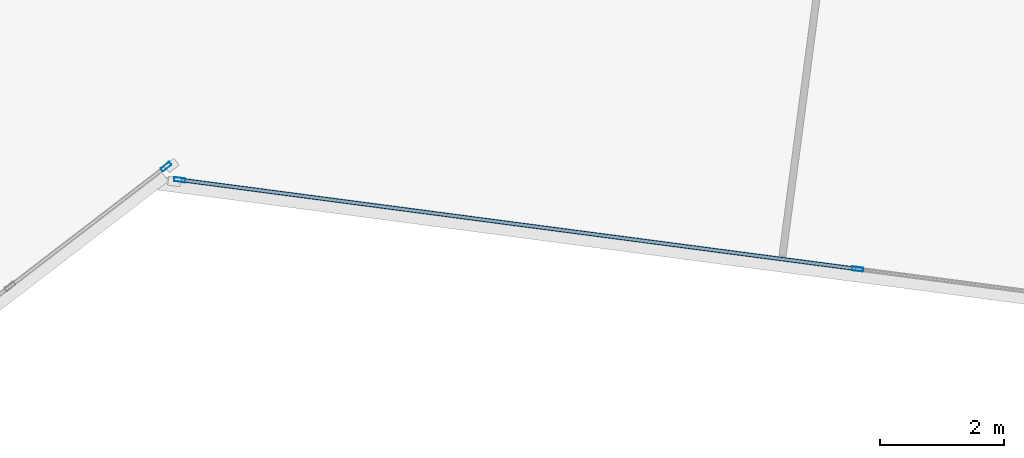
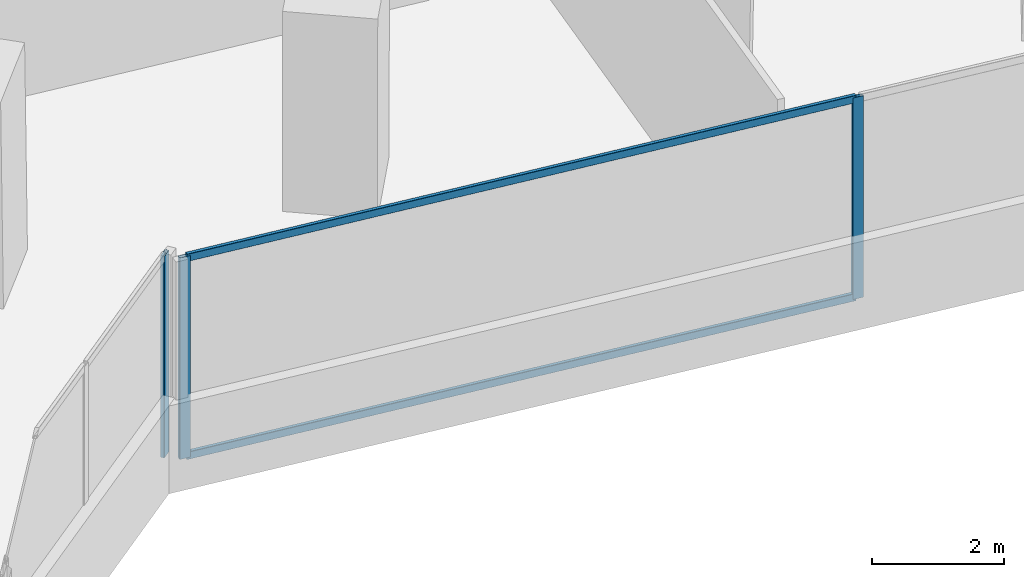
# One storey, part 9 of 24: 5 members, 2 elements without a shape of their own.
"""IFC4 building model written with IfcOpenShell, lengths in metres."""

from ifc_helpers import new_model, si_unit, direction, frame, origin, origin_2d, place, context, subcontext, project, spatial, hollow_rectangle, extrude, source, transform, mapped, material, material_profile, profile_set, type_object, element, aggregate, save


model = new_model("IFC4")

# Units and contexts
model_context = context("Model", 3, precision=1e-05, world=origin(), true_north=direction((0.0, 1.0)))
body_context = subcontext(model_context, "Body", "Model", "MODEL_VIEW")
ifc_project = project(units=[si_unit("LENGTHUNIT", "METRE"), si_unit("AREAUNIT", "SQUARE_METRE"), si_unit("VOLUMEUNIT", "CUBIC_METRE"), si_unit("PLANEANGLEUNIT", "RADIAN"), si_unit("MASSUNIT", "GRAM", prefix="KILO")], contexts=[model_context])

# Site, building, storey
site_placement = place(None, origin())
site = spatial("IfcSite", under=ifc_project, at=site_placement, CompositionType="ELEMENT")
building_placement = place(site_placement, origin())
building = spatial("IfcBuilding", under=site, at=building_placement, Name="Torre Montelarca", CompositionType="ELEMENT")
storey_placement = place(building_placement, frame((0.0, 0.0, 66.39990234375)))
storey = spatial("IfcBuildingStorey", under=building, at=storey_placement, Name="L14", CompositionType="ELEMENT", Elevation=66.39990234375)

# Curtain wall, members
ifc_material_1 = material(Name="Insulated low-E laminated glass", Category="glass")
curtain_wall_type = type_object("IfcCurtainWallType", Name="CW-SYS-Z1", PredefinedType="USERDEFINED", material=ifc_material_1)
curtain_wall_1_placement = place(storey_placement, origin())
curtain_wall_1 = element("IfcCurtainWall", 1, at=curtain_wall_1_placement, inside=storey, type_object=curtain_wall_type, Name="L14 Curtain Wall Run CW-T3-L14-E04-B1", ObjectType="UNITISED GLAZING", PredefinedType="USERDEFINED")
ifc_material_2 = material(Name="Anodised aluminium AA 6063-T6", Category="aluminium")
ifc_material_profile_1 = material_profile(ifc_material_2, hollow_rectangle(XDim=0.06494140625, YDim=0.139892578125, WallThickness=0.00390625, InnerFilletRadius=0.00390625, OuterFilletRadius=0.008056640625, at=origin_2d()), Name="ALU65X140X4", Category="aluminium")
ifc_profile_set_1 = profile_set([ifc_material_profile_1], Name="Anodised aluminium AA 6063-T6")
member_type_1 = type_object("IfcMemberType", Name="CWT-ALU140", PredefinedType="USERDEFINED", material=ifc_profile_set_1)
shared_shape_1 = source(origin(), body_context, "Body", "SweptSolid", [
    extrude(hollow_rectangle(XDim=0.06494140625, YDim=0.139892578125, WallThickness=0.00390625, InnerFilletRadius=0.00390625, OuterFilletRadius=0.008056640625, at=origin_2d()), origin(), (0.0, 0.0, 1.0), 10.94873046875),
])
member_1_placement = place(storey_placement, frame((35.288330078125, 16.396728515625, 0.03271484375), z_axis=(0.99144640037, -0.130514501852, 0.0), x_axis=(0.130514501852, 0.99144640037, 0.0)))
member_1 = element("IfcMember", 2, at=member_1_placement, type_object=member_type_1, Name="CW transom 1.1", ObjectType="TRANSOM", PredefinedType="USERDEFINED", context=body_context, shape_type="MappedRepresentation", body=[
    mapped(shared_shape_1, transform((0.0, 0.0, 0.0), scale=1.0)),
])
member_2_placement = place(storey_placement, frame((35.288330078125, 16.396728515625, 3.6875), z_axis=(0.99144640037, -0.130514501852, 0.0), x_axis=(0.130514501852, 0.99144640037, 0.0)))
member_2 = element("IfcMember", 3, at=member_2_placement, type_object=member_type_1, Name="CW transom 1.2", ObjectType="TRANSOM", PredefinedType="USERDEFINED", context=body_context, shape_type="MappedRepresentation", body=[
    mapped(shared_shape_1, transform((0.0, 0.0, 0.0), scale=1.0)),
])

# Curtain wall, member
curtain_wall_2_placement = place(storey_placement, origin())
curtain_wall_2 = element("IfcCurtainWall", 4, at=curtain_wall_2_placement, inside=storey, type_object=curtain_wall_type, Name="L14 Curtain Wall Run CW-T3-L14-E02-B1", ObjectType="UNITISED GLAZING", PredefinedType="USERDEFINED")
ifc_material_profile_2 = material_profile(ifc_material_2, hollow_rectangle(XDim=0.06494140625, YDim=0.179931640625, WallThickness=0.00390625, InnerFilletRadius=0.00390625, OuterFilletRadius=0.008056640625, at=origin_2d()), Name="ALU65X180X4", Category="aluminium")
ifc_profile_set_2 = profile_set([ifc_material_profile_2], Name="Anodised aluminium AA 6063-T6")
member_type_2 = type_object("IfcMemberType", Name="CWM-ALU180", PredefinedType="MULLION", material=ifc_profile_set_2)
shared_shape_2 = source(origin(), body_context, "Body", "SweptSolid", [
    extrude(hollow_rectangle(XDim=0.06494140625, YDim=0.179931640625, WallThickness=0.00390625, InnerFilletRadius=0.00390625, OuterFilletRadius=0.008056640625, at=origin_2d()), origin(), (0.0, 0.0, 1.0), 3.72021484375),
])
member_3_placement = place(storey_placement, frame((35.03515625, 16.61328125, 0.0), z_axis=(0.0, 0.0, 1.0), x_axis=(-0.608756578814, 0.793357061953, 0.0)))
member_3 = element("IfcMember", 5, at=member_3_placement, type_object=member_type_2, Name="CW mullion 3", PredefinedType="MULLION", context=body_context, shape_type="MappedRepresentation", body=[
    mapped(shared_shape_2, transform((0.0, 0.0, 0.0), scale=1.0)),
])
aggregate(curtain_wall_2, [member_3])

# Member
member_4_placement = place(storey_placement, frame((35.256103515625, 16.40087890625, 0.0), z_axis=(0.0, 0.0, 1.0), x_axis=(0.130520668339, 0.991445588591, 0.0)))
member_4 = element("IfcMember", 6, at=member_4_placement, type_object=member_type_2, Name="CW mullion 1", PredefinedType="MULLION", context=body_context, shape_type="MappedRepresentation", body=[
    mapped(shared_shape_2, transform((0.0, 0.0, 0.0), scale=1.0)),
])

member_5_placement = place(storey_placement, frame((46.175537109375, 14.96337890625, 0.0), z_axis=(0.0, 0.0, 1.0), x_axis=(0.130520668339, 0.991445588591, 0.0)))
member_5 = element("IfcMember", 7, at=member_5_placement, type_object=member_type_2, Name="CW mullion 2", PredefinedType="MULLION", context=body_context, shape_type="MappedRepresentation", body=[
    mapped(shared_shape_2, transform((0.0, 0.0, 0.0), scale=1.0)),
])

aggregate(curtain_wall_1, [member_4, member_5, member_1, member_2])

save(model, "model.ifc")
